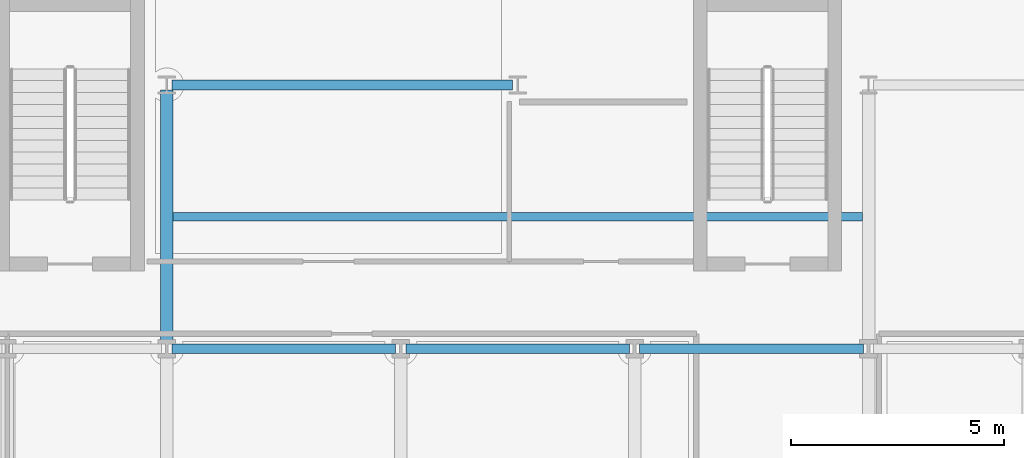
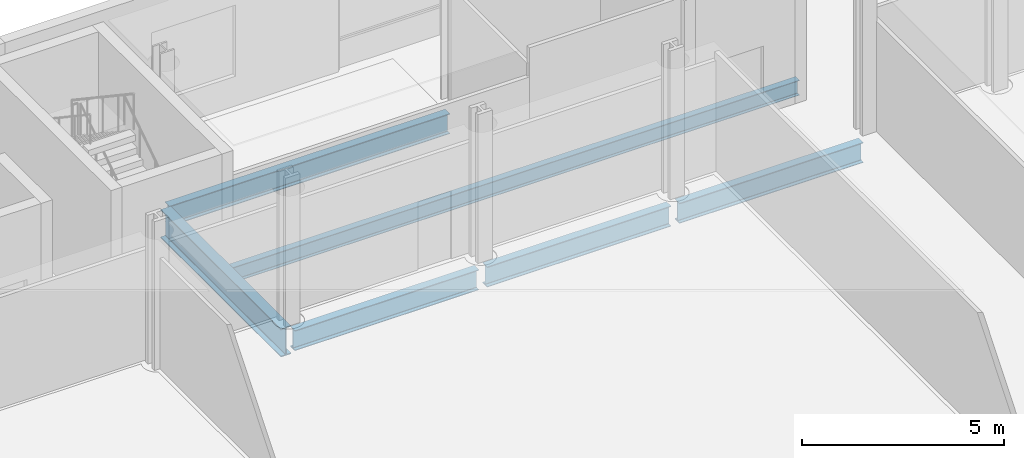
# One storey, part 8 of 25: 6 beams.
"""IFC4 building model written with IfcOpenShell, lengths in metres."""

from ifc_helpers import new_model, si_unit, direction, frame, origin, origin_2d, place, context, subcontext, project, spatial, i_section, extrude, material, material_profile, profile_set, type_object, element, save


model = new_model("IFC4")

# Units and contexts
model_context = context("Model", 3, precision=1e-05, world=origin(), true_north=direction((0.0, 1.0)))
body_context = subcontext(model_context, "Body", "Model", "MODEL_VIEW")
ifc_project = project(units=[si_unit("LENGTHUNIT", "METRE"), si_unit("AREAUNIT", "SQUARE_METRE"), si_unit("VOLUMEUNIT", "CUBIC_METRE"), si_unit("PLANEANGLEUNIT", "RADIAN"), si_unit("MASSUNIT", "GRAM", prefix="KILO")], contexts=[model_context])

# Site, building, storey
site_placement = place(None, origin())
site = spatial("IfcSite", under=ifc_project, at=site_placement, CompositionType="ELEMENT")
building_placement = place(site_placement, origin())
building = spatial("IfcBuilding", under=site, at=building_placement, Name="Brevholm Reach", CompositionType="ELEMENT")
storey_placement = place(building_placement, frame((0.0, 0.0, 13.5)))
storey = spatial("IfcBuildingStorey", under=building, at=storey_placement, Name="L03", CompositionType="ELEMENT", Elevation=13.5)

# Beams
ifc_material_1 = material(Name="Structural Steel S355J2", Category="steel")
ifc_material_profile_1 = material_profile(ifc_material_1, i_section(OverallWidth=0.1904296875, OverallDepth=0.45703125, WebThickness=0.009033203125, FlangeThickness=0.014404296875, FilletRadius=0.01025390625, at=origin_2d()), Name="UKB 457x191x74")
ifc_profile_set_1 = profile_set([ifc_material_profile_1], Name="Structural Steel S355J2")
beam_type_1 = type_object("IfcBeamType", Name="BM-B457", PredefinedType="BEAM", material=ifc_profile_set_1)
beam_1_placement = place(storey_placement, frame((21.89697265625, 34.10009765625, -0.508544921875), z_axis=(1.0, 0.0, 0.0), x_axis=(0.0, 1.0, 0.0)))
element("IfcBeam", 1, at=beam_1_placement, inside=storey, type_object=beam_type_1, Name="L03 Composite Secondary Floor Beam", PredefinedType="BEAM", context=body_context, shape_type="SweptSolid", body=[
    extrude(i_section(OverallWidth=0.1904296875, OverallDepth=0.45703125, WebThickness=0.009033203125, FlangeThickness=0.014404296875, FilletRadius=0.01025390625, at=origin_2d()), origin(), (0.0, 0.0, 1.0), 16.2060546875),
])
ifc_material_2 = material(Name="Structural Steel S355J2", Category="steel")
ifc_material_profile_2 = material_profile(ifc_material_2, i_section(OverallWidth=0.22900390625, OverallDepth=0.6123046875, WebThickness=0.011962890625, FlangeThickness=0.01953125, FilletRadius=0.0126953125, at=origin_2d()), Name="UKB 610x229x125")
ifc_profile_set_2 = profile_set([ifc_material_profile_2], Name="Structural Steel S355J2")
beam_type_2 = type_object("IfcBeamType", Name="BM-SP610", PredefinedType="SPANDREL", material=ifc_profile_set_2)
for number, where, z_axis, x_axis, name in (
    (2, (21.8701171875, 31.0, -0.586181640625), (1.0, 0.0, 0.0), (0.0, 1.0, 0.0), "L03 SP-01 Framing Beam"),
    (3, (27.3701171875, 31.0, -0.586181640625), (1.0, 0.0, 0.0), (0.0, 1.0, 0.0), "L03 SP-01 Framing Beam"),
    (4, (32.8701171875, 31.0, -0.586181640625), (1.0, 0.0, 0.0), (0.0, 1.0, 0.0), "L03 SP-01 Framing Beam"),
):
    element("IfcBeam", number, at=place(storey_placement, frame(where, z_axis=z_axis, x_axis=x_axis)), inside=storey, type_object=beam_type_2, Name=name, PredefinedType="SPANDREL", context=body_context, shape_type="SweptSolid", body=[
        extrude(i_section(OverallWidth=0.22900390625, OverallDepth=0.6123046875, WebThickness=0.011962890625, FlangeThickness=0.01953125, FilletRadius=0.0126953125, at=origin_2d()), origin(), (0.0, 0.0, 1.0), 5.259765625),
    ])
beam_2_placement = place(storey_placement, frame((21.8701171875, 37.199951171875, -0.586181640625), z_axis=(1.0, 0.0, 0.0), x_axis=(0.0, 1.0, 0.0)))
element("IfcBeam", 5, at=beam_2_placement, inside=storey, type_object=beam_type_2, Name="L03 SP-01 Framing Beam", PredefinedType="SPANDREL", context=body_context, shape_type="SweptSolid", body=[
    extrude(i_section(OverallWidth=0.22900390625, OverallDepth=0.6123046875, WebThickness=0.011962890625, FlangeThickness=0.01953125, FilletRadius=0.0126953125, at=origin_2d()), origin(), (0.0, 0.0, 1.0), 8.009765625),
])
ifc_material_3 = material(Name="Structural Steel S355J2", Category="steel")
ifc_material_profile_3 = material_profile(ifc_material_3, i_section(OverallWidth=0.293701171875, OverallDepth=0.850830078125, WebThickness=0.01611328125, FlangeThickness=0.02685546875, FilletRadius=0.017822265625, at=origin_2d()), Name="UKB 838x292x226")
ifc_profile_set_3 = profile_set([ifc_material_profile_3], Name="Structural Steel S355J2")
beam_type_3 = type_object("IfcBeamType", Name="BM-UKB838", PredefinedType="USERDEFINED", material=ifc_profile_set_3)
beam_3_placement = place(storey_placement, frame((21.75, 31.1201171875, -0.70556640625), z_axis=(0.0, 1.0, 0.0), x_axis=(-1.0, 0.0, 0.0)))
element("IfcBeam", 6, at=beam_3_placement, inside=storey, type_object=beam_type_3, Name="L03 G-03 Framing Beam", ObjectType="GIRDER", PredefinedType="USERDEFINED", context=body_context, shape_type="SweptSolid", body=[
    extrude(i_section(OverallWidth=0.293701171875, OverallDepth=0.850830078125, WebThickness=0.01611328125, FlangeThickness=0.02685546875, FilletRadius=0.017822265625, at=origin_2d()), origin(), (0.0, 0.0, 1.0), 5.9599609375),
])

save(model, "model.ifc")
